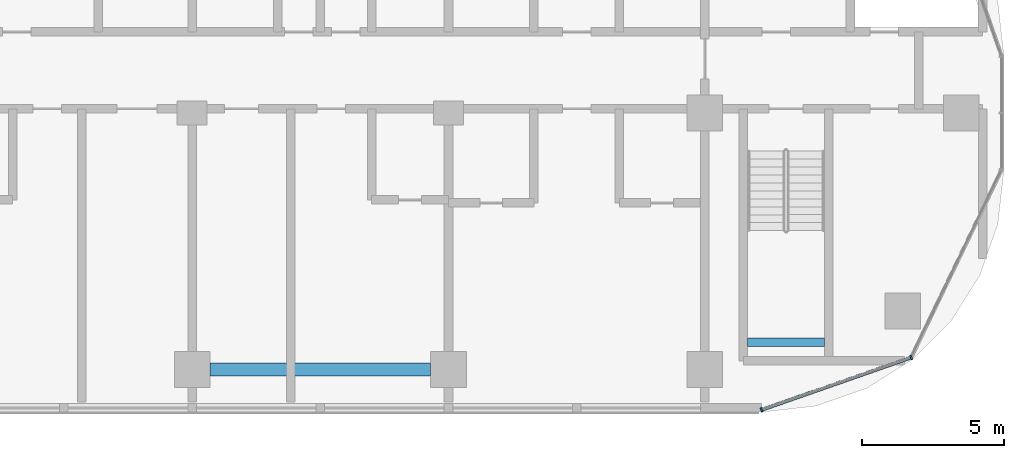
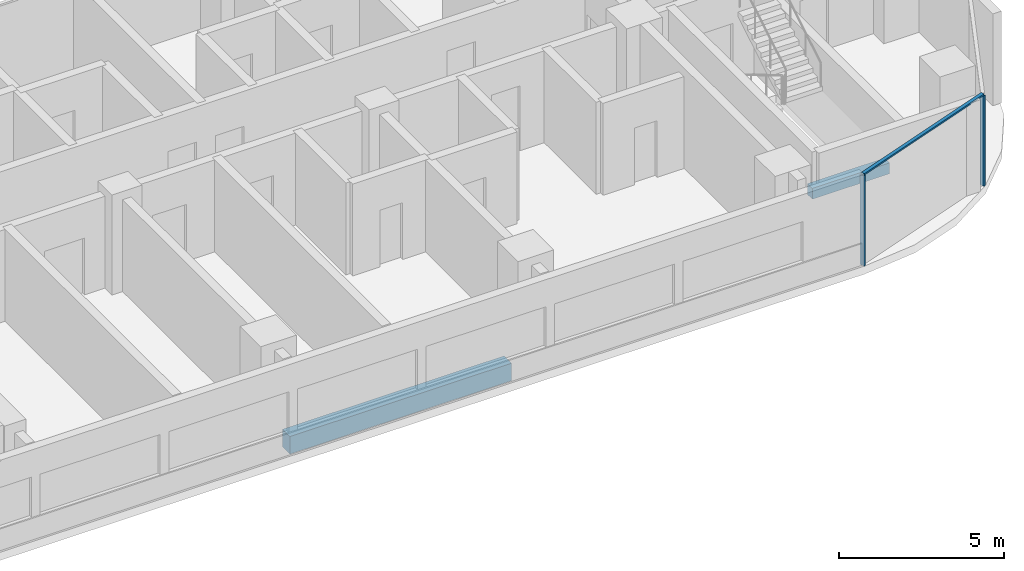
# One storey, part 3 of 22: 3 members, 2 beams, 1 element without a shape of its own.
"""IFC4 building model written with IfcOpenShell, lengths in metres."""

from ifc_helpers import new_model, si_unit, direction, frame, origin, origin_2d, place, context, subcontext, project, spatial, rectangle, extrude, material, material_profile, profile_set, type_object, element, aggregate, save


model = new_model("IFC4")

# Units and contexts
model_context = context("Model", 3, precision=1e-05, world=origin(), true_north=direction((0.0, 1.0)))
body_context = subcontext(model_context, "Body", "Model", "MODEL_VIEW")
ifc_project = project(units=[si_unit("LENGTHUNIT", "METRE"), si_unit("AREAUNIT", "SQUARE_METRE"), si_unit("VOLUMEUNIT", "CUBIC_METRE"), si_unit("PLANEANGLEUNIT", "RADIAN"), si_unit("MASSUNIT", "GRAM", prefix="KILO")], contexts=[model_context])

# Site, building, storey
site_placement = place(None, origin())
site = spatial("IfcSite", under=ifc_project, at=site_placement, CompositionType="ELEMENT")
building_placement = place(site_placement, origin())
building = spatial("IfcBuilding", under=site, at=building_placement, Name="Ogive Portal Towers", CompositionType="ELEMENT")
storey_placement = place(building_placement, frame((0.0, 0.0, 113.0)))
storey = spatial("IfcBuildingStorey", under=building, at=storey_placement, Name="L27", CompositionType="ELEMENT", Elevation=113.0)

# Beam
ifc_material_1 = material(Name="Concrete C40/50", Category="concrete")
ifc_material_profile_1 = material_profile(ifc_material_1, rectangle(XDim=0.300048828125, YDim=0.39990234375, at=origin_2d()), Name="RC 300x400")
ifc_profile_set_1 = profile_set([ifc_material_profile_1], Name="Concrete C40/50")
beam_type_1 = type_object("IfcBeamType", Name="BEAM RC 300x400", PredefinedType="BEAM", material=ifc_profile_set_1)
beam_1_placement = place(storey_placement, frame((87.0, 22.449951171875, 1.449951171875), z_axis=(1.0, 0.0, 0.0), x_axis=(0.0, 1.0, 0.0)))
element("IfcBeam", 1, at=beam_1_placement, inside=storey, type_object=beam_type_1, Name="Landing beam L27", PredefinedType="BEAM", context=body_context, shape_type="SweptSolid", body=[
    extrude(rectangle(XDim=0.300048828125, YDim=0.39990234375, at=origin_2d()), origin(), (0.0, 0.0, 1.0), 2.699951171875),
])

# Curtain wall, members
ifc_material_2 = material(Name="Glass, clear low-iron insulated glazing", Category="glass")
curtain_wall_type = type_object("IfcCurtainWallType", Name="CW FRONT RIBBON 4500", PredefinedType="NOTDEFINED", material=ifc_material_2)
curtain_wall_placement = place(storey_placement, origin())
curtain_wall = element("IfcCurtainWall", 2, at=curtain_wall_placement, inside=storey, type_object=curtain_wall_type, Name="A:L27:f07:cwa", PredefinedType="NOTDEFINED")
ifc_material_3 = material(Name="Aluminium 6063 anodised", Category="aluminium")
ifc_material_profile_2 = material_profile(ifc_material_3, rectangle(XDim=0.159912109375, YDim=0.06005859375, at=origin_2d()), Name="AL 60x160")
ifc_profile_set_2 = profile_set([ifc_material_profile_2], Name="Aluminium 6063 anodised")
member_type_1 = type_object("IfcMemberType", Name="CW MULLION 60x160", PredefinedType="MULLION", material=ifc_profile_set_2)
member_1_placement = place(storey_placement, frame((87.486328125, 20.080078125, 0.0), z_axis=(0.0, 0.0, 1.0), x_axis=(-0.33027906196, 0.943883330307, 0.0)))
member_1 = element("IfcMember", 3, at=member_1_placement, type_object=member_type_1, Name="mullion", PredefinedType="MULLION", context=body_context, shape_type="SweptSolid", body=[
    extrude(rectangle(XDim=0.159912109375, YDim=0.06005859375, at=origin_2d()), origin(), (0.0, 0.0, 1.0), 3.340087890625),
])
member_2_placement = place(storey_placement, frame((92.741943359375, 21.9189453125, 0.0), z_axis=(0.0, 0.0, 1.0), x_axis=(-0.33027906196, 0.943883330307, 0.0)))
member_2 = element("IfcMember", 4, at=member_2_placement, type_object=member_type_1, Name="mullion", PredefinedType="MULLION", context=body_context, shape_type="SweptSolid", body=[
    extrude(rectangle(XDim=0.159912109375, YDim=0.06005859375, at=origin_2d()), origin(), (0.0, 0.0, 1.0), 3.340087890625),
])
ifc_material_profile_3 = material_profile(ifc_material_3, rectangle(XDim=0.1201171875, YDim=0.06005859375, at=origin_2d()), Name="AL 120x60")
ifc_profile_set_3 = profile_set([ifc_material_profile_3], Name="Aluminium 6063 anodised")
member_type_2 = type_object("IfcMemberType", Name="CW TRANSOM 60x120", PredefinedType="USERDEFINED", material=ifc_profile_set_3)
member_3_placement = place(storey_placement, frame((87.486328125, 20.080078125, 3.3701171875), z_axis=(0.943891847017, 0.330254721593, 0.0), x_axis=(-0.330254721593, 0.943891847017, 0.0)))
member_3 = element("IfcMember", 5, at=member_3_placement, type_object=member_type_2, Name="transom", ObjectType="TRANSOM", PredefinedType="USERDEFINED", context=body_context, shape_type="SweptSolid", body=[
    extrude(rectangle(XDim=0.1201171875, YDim=0.06005859375, at=origin_2d()), origin(), (0.0, 0.0, 1.0), 5.568115234375),
])
aggregate(curtain_wall, [member_3, member_1, member_2])

# Beam
ifc_material_4 = material(Name="Concrete C50/60", Category="concrete")
ifc_material_profile_4 = material_profile(ifc_material_4, rectangle(XDim=0.449951171875, YDim=0.64990234375, at=origin_2d()), Name="RC 450x650")
ifc_profile_set_4 = profile_set([ifc_material_profile_4], Name="Concrete C50/60")
beam_type_2 = type_object("IfcBeamType", Name="SPANDREL BEAM RC 450x650", PredefinedType="BEAM", material=ifc_profile_set_4)
beam_2_placement = place(storey_placement, frame((75.875, 21.5, -0.625), z_axis=(-1.0, 0.0, 0.0), x_axis=(0.0, -1.0, 0.0)))
element("IfcBeam", 6, at=beam_2_placement, inside=storey, type_object=beam_type_2, Name="Spandrel beam L27", PredefinedType="BEAM", context=body_context, shape_type="SweptSolid", body=[
    extrude(rectangle(XDim=0.449951171875, YDim=0.64990234375, at=origin_2d()), origin(), (0.0, 0.0, 1.0), 7.75),
])

save(model, "model.ifc")
